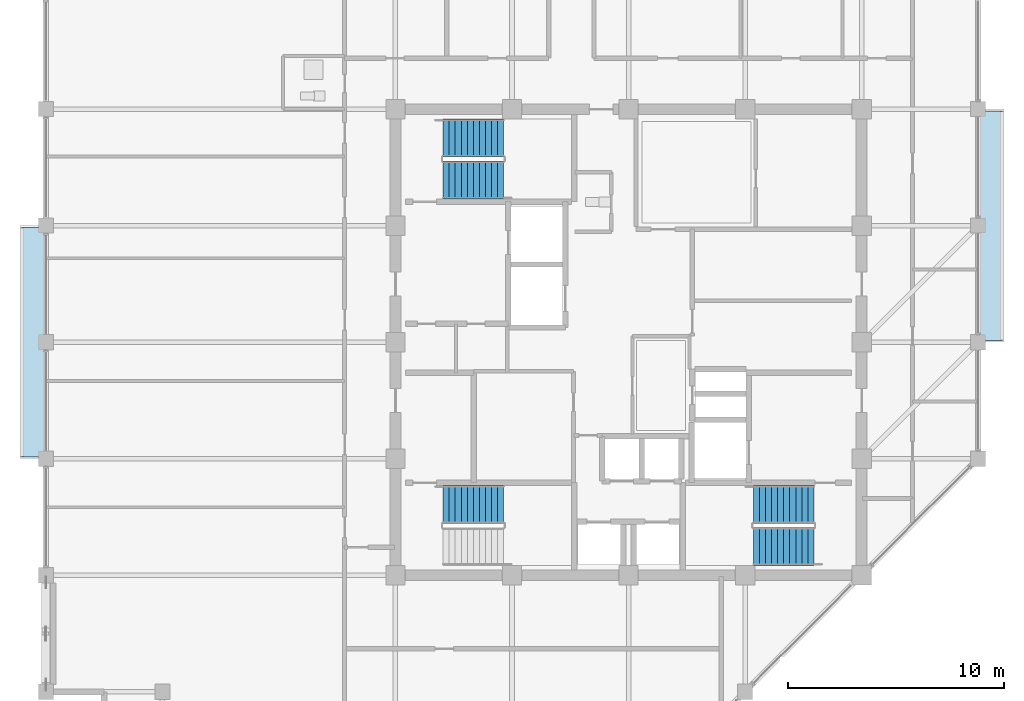
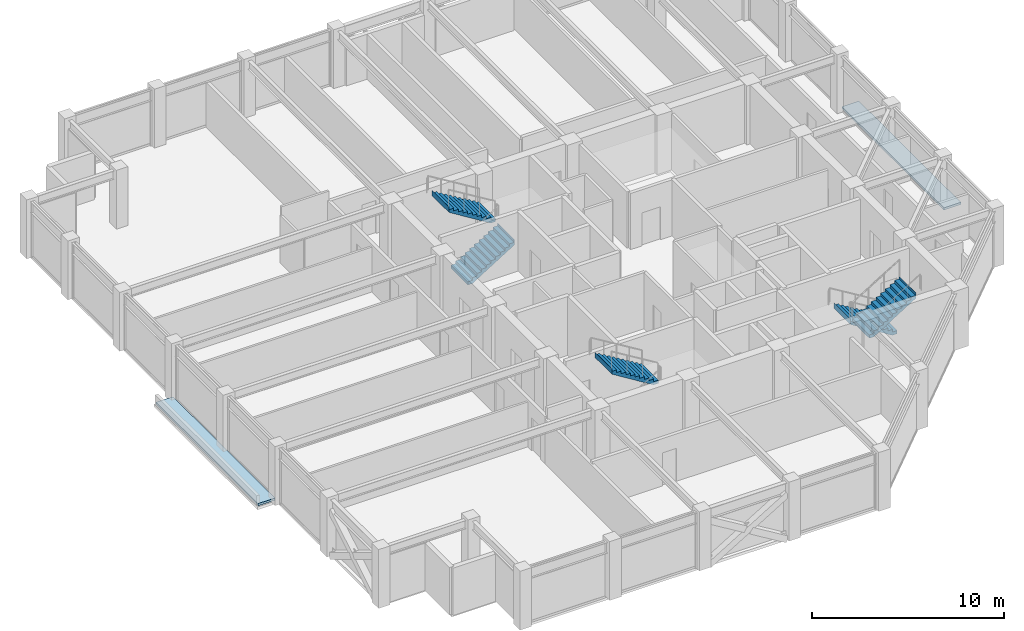
# One storey, part 28 of 30: 5 stair flights, 2 roofs, 3 elements without a shape of their own.
"""IFC4 building model written with IfcOpenShell, lengths in metres."""

from ifc_helpers import new_model, si_unit, direction, frame, origin, place, context, subcontext, project, spatial, polyline, outline, extrude, material, layer, layer_set, type_object, element, aggregate, save


model = new_model("IFC4")

# Units and contexts
model_context = context("Model", 3, precision=1e-05, world=origin(), true_north=direction((0.0, 1.0)))
body_context = subcontext(model_context, "Body", "Model", "MODEL_VIEW")
ifc_project = project(units=[si_unit("LENGTHUNIT", "METRE"), si_unit("AREAUNIT", "SQUARE_METRE"), si_unit("VOLUMEUNIT", "CUBIC_METRE"), si_unit("PLANEANGLEUNIT", "RADIAN"), si_unit("MASSUNIT", "GRAM", prefix="KILO")], contexts=[model_context])

# Site, building, storey
site_placement = place(None, origin())
site = spatial("IfcSite", under=ifc_project, at=site_placement, CompositionType="ELEMENT")
building_placement = place(site_placement, origin())
building = spatial("IfcBuilding", under=site, at=building_placement, Name="Surkhivell Harbour Commons", CompositionType="ELEMENT")
storey_placement = place(building_placement, frame((0.0, 0.0, 281.25)))
storey = spatial("IfcBuildingStorey", under=building, at=storey_placement, Name="L73", CompositionType="ELEMENT", Elevation=281.25)

# Stair, stair flights
ifc_material_1 = material(Name="Precast concrete C45/55", Category="concrete")
stair_type = type_object("IfcStairType", Name="STR-DL-375", PredefinedType="HALF_TURN_STAIR", material=ifc_material_1)
stair_1_placement = place(storey_placement, origin())
stair_1 = element("IfcStair", 1, at=stair_1_placement, inside=storey, type_object=stair_type, Name="L73 Core Exit Stair ST1", PredefinedType="HALF_TURN_STAIR")
stair_flight_type = type_object("IfcStairFlightType", Name="STF-DL-375", PredefinedType="STRAIGHT", material=ifc_material_1)
stair_flight_1_placement = place(storey_placement, frame((-8.590087890625, 7.514892578125, 0.0), z_axis=(0.0, 0.0, 1.0), x_axis=(1.0, 0.0, 0.0)))
stair_flight_1 = element("IfcStairFlight", 2, at=stair_flight_1_placement, type_object=stair_flight_type, Name="ST1 flight 1", NumberOfRisers=11, NumberOfTreads=10, PredefinedType="STRAIGHT", RiserHeight=0.170454545, TreadLength=0.28, context=body_context, shape_type="SweptSolid", body=[
    extrude(outline(polyline([(-0.0029296875, -0.034912109375), (-0.0029296875, 0.0), (0.0, 0.0), (0.0, 0.17041015625), (0.280029296875, 0.17041015625), (0.280029296875, 0.3408203125), (0.56005859375, 0.3408203125), (0.56005859375, 0.511474609375), (0.840087890625, 0.511474609375), (0.840087890625, 0.681884765625), (1.1201171875, 0.681884765625), (1.1201171875, 0.852294921875), (1.39990234375, 0.852294921875), (1.39990234375, 1.022705078125), (1.679931640625, 1.022705078125), (1.679931640625, 1.193115234375), (1.9599609375, 1.193115234375), (1.9599609375, 1.363525390625), (2.239990234375, 1.363525390625), (2.239990234375, 1.5341796875), (2.52001953125, 1.5341796875), (2.52001953125, 1.70458984375), (2.800048828125, 1.70458984375), (2.800048828125, 1.875), (2.802978515625, 1.875), (2.802978515625, 1.529052734375), (0.288330078125, -0.034912109375), (-0.0029296875, -0.034912109375)])), frame((0.0, 0.875, 0.0), z_axis=(0.0, -1.0, 0.0), x_axis=(1.0, 0.0, 0.0)), (0.0, 0.0, 1.0), 1.75),
])
stair_flight_2_placement = place(storey_placement, frame((-5.7900390625, 9.465087890625, 1.875), z_axis=(0.0, 0.0, 1.0), x_axis=(-1.0, 0.0, 0.0)))
stair_flight_2 = element("IfcStairFlight", 3, at=stair_flight_2_placement, type_object=stair_flight_type, Name="ST1 flight 2", NumberOfRisers=11, NumberOfTreads=10, PredefinedType="STRAIGHT", RiserHeight=0.170454545, TreadLength=0.28, context=body_context, shape_type="SweptSolid", body=[
    extrude(outline(polyline([(-0.0029296875, -0.034912109375), (-0.0029296875, 0.0), (0.0, 0.0), (0.0, 0.17041015625), (0.280029296875, 0.17041015625), (0.280029296875, 0.3408203125), (0.56005859375, 0.3408203125), (0.56005859375, 0.511474609375), (0.840087890625, 0.511474609375), (0.840087890625, 0.681884765625), (1.1201171875, 0.681884765625), (1.1201171875, 0.852294921875), (1.39990234375, 0.852294921875), (1.39990234375, 1.022705078125), (1.679931640625, 1.022705078125), (1.679931640625, 1.193115234375), (1.9599609375, 1.193115234375), (1.9599609375, 1.363525390625), (2.239990234375, 1.363525390625), (2.239990234375, 1.5341796875), (2.52001953125, 1.5341796875), (2.52001953125, 1.70458984375), (2.800048828125, 1.70458984375), (2.800048828125, 1.875), (2.802978515625, 1.875), (2.802978515625, 1.529052734375), (0.288330078125, -0.034912109375), (-0.0029296875, -0.034912109375)])), frame((0.0, 0.875, 0.0), z_axis=(0.0, -1.0, 0.0), x_axis=(1.0, 0.0, 0.0)), (0.0, 0.0, 1.0), 1.75),
])
aggregate(stair_1, [stair_flight_1, stair_flight_2])

stair_2_placement = place(storey_placement, origin())
stair_2 = element("IfcStair", 4, at=stair_2_placement, inside=storey, type_object=stair_type, Name="L73 Core Exit Stair ST2", PredefinedType="HALF_TURN_STAIR")
stair_flight_3_placement = place(storey_placement, frame((8.590087890625, -7.514892578125, 0.0), z_axis=(0.0, 0.0, 1.0), x_axis=(-1.0, 0.0, 0.0)))
stair_flight_3 = element("IfcStairFlight", 5, at=stair_flight_3_placement, type_object=stair_flight_type, Name="ST2 flight 1", NumberOfRisers=11, NumberOfTreads=10, PredefinedType="STRAIGHT", RiserHeight=0.170454545, TreadLength=0.28, context=body_context, shape_type="SweptSolid", body=[
    extrude(outline(polyline([(-0.0029296875, -0.034912109375), (-0.0029296875, 0.0), (0.0, 0.0), (0.0, 0.17041015625), (0.280029296875, 0.17041015625), (0.280029296875, 0.3408203125), (0.56005859375, 0.3408203125), (0.56005859375, 0.511474609375), (0.840087890625, 0.511474609375), (0.840087890625, 0.681884765625), (1.1201171875, 0.681884765625), (1.1201171875, 0.852294921875), (1.39990234375, 0.852294921875), (1.39990234375, 1.022705078125), (1.679931640625, 1.022705078125), (1.679931640625, 1.193115234375), (1.9599609375, 1.193115234375), (1.9599609375, 1.363525390625), (2.239990234375, 1.363525390625), (2.239990234375, 1.5341796875), (2.52001953125, 1.5341796875), (2.52001953125, 1.70458984375), (2.800048828125, 1.70458984375), (2.800048828125, 1.875), (2.802978515625, 1.875), (2.802978515625, 1.529052734375), (0.288330078125, -0.034912109375), (-0.0029296875, -0.034912109375)])), frame((0.0, 0.875, 0.0), z_axis=(0.0, -1.0, 0.0), x_axis=(1.0, 0.0, 0.0)), (0.0, 0.0, 1.0), 1.75),
])
stair_flight_4_placement = place(storey_placement, frame((5.7900390625, -9.465087890625, 1.875), z_axis=(0.0, 0.0, 1.0), x_axis=(1.0, 0.0, 0.0)))
stair_flight_4 = element("IfcStairFlight", 6, at=stair_flight_4_placement, type_object=stair_flight_type, Name="ST2 flight 2", NumberOfRisers=11, NumberOfTreads=10, PredefinedType="STRAIGHT", RiserHeight=0.170454545, TreadLength=0.28, context=body_context, shape_type="SweptSolid", body=[
    extrude(outline(polyline([(-0.0029296875, -0.034912109375), (-0.0029296875, 0.0), (0.0, 0.0), (0.0, 0.17041015625), (0.280029296875, 0.17041015625), (0.280029296875, 0.3408203125), (0.56005859375, 0.3408203125), (0.56005859375, 0.511474609375), (0.840087890625, 0.511474609375), (0.840087890625, 0.681884765625), (1.1201171875, 0.681884765625), (1.1201171875, 0.852294921875), (1.39990234375, 0.852294921875), (1.39990234375, 1.022705078125), (1.679931640625, 1.022705078125), (1.679931640625, 1.193115234375), (1.9599609375, 1.193115234375), (1.9599609375, 1.363525390625), (2.239990234375, 1.363525390625), (2.239990234375, 1.5341796875), (2.52001953125, 1.5341796875), (2.52001953125, 1.70458984375), (2.800048828125, 1.70458984375), (2.800048828125, 1.875), (2.802978515625, 1.875), (2.802978515625, 1.529052734375), (0.288330078125, -0.034912109375), (-0.0029296875, -0.034912109375)])), frame((0.0, 0.875, 0.0), z_axis=(0.0, -1.0, 0.0), x_axis=(1.0, 0.0, 0.0)), (0.0, 0.0, 1.0), 1.75),
])
aggregate(stair_2, [stair_flight_3, stair_flight_4])

# Stair, stair flight
stair_3_placement = place(storey_placement, origin())
stair_3 = element("IfcStair", 7, at=stair_3_placement, inside=storey, type_object=stair_type, Name="L73 Core Exit Stair ST3", PredefinedType="HALF_TURN_STAIR")
stair_flight_5_placement = place(storey_placement, frame((-5.7900390625, -7.514892578125, 1.875), z_axis=(0.0, 0.0, 1.0), x_axis=(-1.0, 0.0, 0.0)))
stair_flight_5 = element("IfcStairFlight", 8, at=stair_flight_5_placement, type_object=stair_flight_type, Name="ST3 flight 2", NumberOfRisers=11, NumberOfTreads=10, PredefinedType="STRAIGHT", RiserHeight=0.170454545, TreadLength=0.28, context=body_context, shape_type="SweptSolid", body=[
    extrude(outline(polyline([(-0.0029296875, -0.034912109375), (-0.0029296875, 0.0), (0.0, 0.0), (0.0, 0.17041015625), (0.280029296875, 0.17041015625), (0.280029296875, 0.3408203125), (0.56005859375, 0.3408203125), (0.56005859375, 0.511474609375), (0.840087890625, 0.511474609375), (0.840087890625, 0.681884765625), (1.1201171875, 0.681884765625), (1.1201171875, 0.852294921875), (1.39990234375, 0.852294921875), (1.39990234375, 1.022705078125), (1.679931640625, 1.022705078125), (1.679931640625, 1.193115234375), (1.9599609375, 1.193115234375), (1.9599609375, 1.363525390625), (2.239990234375, 1.363525390625), (2.239990234375, 1.5341796875), (2.52001953125, 1.5341796875), (2.52001953125, 1.70458984375), (2.800048828125, 1.70458984375), (2.800048828125, 1.875), (2.802978515625, 1.875), (2.802978515625, 1.529052734375), (0.288330078125, -0.034912109375), (-0.0029296875, -0.034912109375)])), frame((0.0, 0.875, 0.0), z_axis=(0.0, -1.0, 0.0), x_axis=(1.0, 0.0, 0.0)), (0.0, 0.0, 1.0), 1.75),
])
aggregate(stair_3, [stair_flight_5])

# Roofs
ifc_material_2 = material(Name="Vermilion-coral and saffron enamelled aluminium box roof cap", Category="aluminium")
ifc_layer = layer(ifc_material_2, 0.139892578125)
ifc_layer_set = layer_set([ifc_layer], Name="Vermilion-coral and saffron enamelled aluminium box roof cap")
roof_type = type_object("IfcRoofType", Name="ROF-BOX-CAP", PredefinedType="FLAT_ROOF", material=ifc_layer_set)
roof_1_placement = place(storey_placement, origin())
element("IfcRoof", 9, at=roof_1_placement, inside=storey, type_object=roof_type, Name="L73 Closed Coloured Box Roof Cap 1-1", PredefinedType="FLAT_ROOF", context=body_context, shape_type="SweptSolid", body=[
    extrude(outline(polyline([(16.300048828125, 10.719970703125), (16.300048828125, 0.080078125), (17.320068359375, 0.080078125), (17.320068359375, 10.719970703125), (16.300048828125, 10.719970703125)])), origin(), (0.0, 0.0, 1.0), 0.139892578125),
])
roof_2_placement = place(storey_placement, origin())
element("IfcRoof", 10, at=roof_2_placement, inside=storey, type_object=roof_type, Name="L73 Closed Coloured Box Roof Cap 2-1", PredefinedType="FLAT_ROOF", context=body_context, shape_type="SweptSolid", body=[
    extrude(outline(polyline([(-27.10009765625, -5.320068359375), (-27.10009765625, 5.320068359375), (-28.1201171875, 5.320068359375), (-28.1201171875, -5.320068359375), (-27.10009765625, -5.320068359375)])), origin(), (0.0, 0.0, 1.0), 0.139892578125),
])

save(model, "model.ifc")
